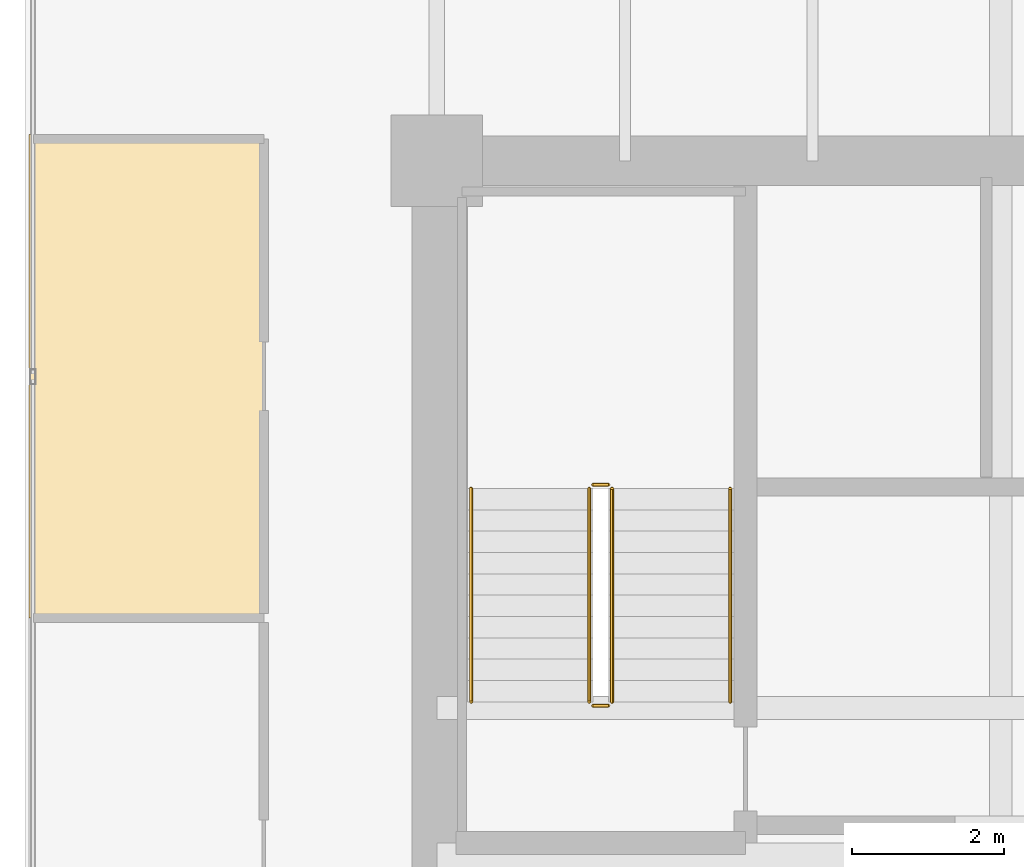
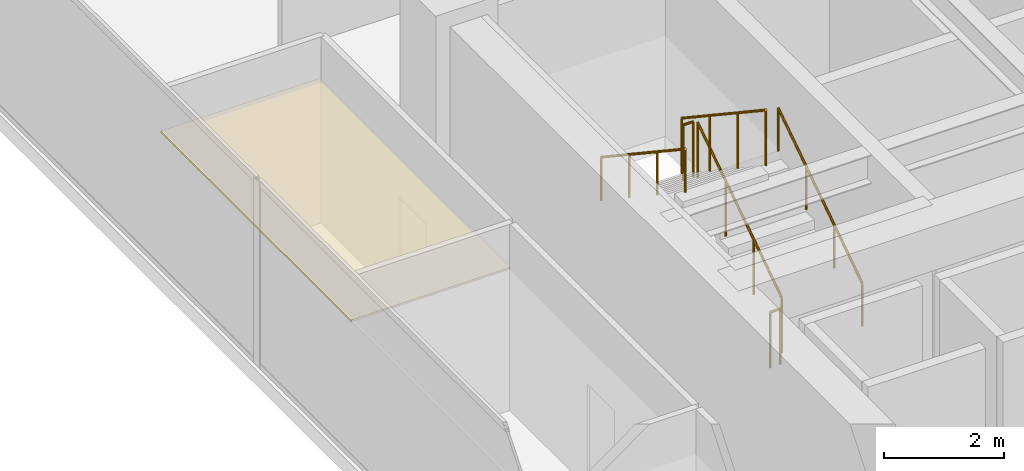
# One storey, part 31 of 34: 6 railings, 1 covering.
"""IFC4 building model written with IfcOpenShell, lengths in metres."""

from ifc_helpers import new_model, si_unit, direction, frame, origin, origin_2d, place, context, subcontext, project, spatial, polyline, circle, outline, extrude, source, transform, mapped, material, layer, layer_set, type_object, type_shapes, element, save


model = new_model("IFC4")

# Units and contexts
model_context = context("Model", 3, precision=1e-05, world=origin(), true_north=direction((0.0, 1.0)))
body_context = subcontext(model_context, "Body", "Model", "MODEL_VIEW")
ifc_project = project(units=[si_unit("LENGTHUNIT", "METRE"), si_unit("AREAUNIT", "SQUARE_METRE"), si_unit("VOLUMEUNIT", "CUBIC_METRE"), si_unit("PLANEANGLEUNIT", "RADIAN"), si_unit("MASSUNIT", "GRAM", prefix="KILO")], contexts=[model_context])

# Site, building, storey
site_placement = place(None, origin())
site = spatial("IfcSite", under=ifc_project, at=site_placement, CompositionType="ELEMENT")
building_placement = place(site_placement, origin())
building = spatial("IfcBuilding", under=site, at=building_placement, Name="Haelvirn Gate Laboratories", CompositionType="ELEMENT")
storey_placement = place(building_placement, frame((0.0, 0.0, 158.39990234375)))
storey = spatial("IfcBuildingStorey", under=building, at=storey_placement, Name="L38", CompositionType="ELEMENT", Elevation=158.39990234375)

# Covering
ifc_material_1 = material(Name="Micro-perforated acoustic mineral-fibre laboratory ceiling")
ifc_layer = layer(ifc_material_1, 0.0400390625, Name="COV-CEIL-ACT")
ifc_layer_set = layer_set([ifc_layer], Name="Micro-perforated acoustic mineral-fibre laboratory ceiling")
covering_type = type_object("IfcCoveringType", Name="COV-CEIL-ACT", PredefinedType="CEILING", material=ifc_layer_set)
covering_placement = place(storey_placement, frame((0.0, 0.0, 2.820068359375)))
element("IfcCovering", 1, at=covering_placement, inside=storey, type_object=covering_type, Name="L38 Laboratory Acoustic Ceiling CEIL-SP-L38-WCELL-03", PredefinedType="CEILING", context=body_context, shape_type="SweptSolid", body=[
    extrude(outline(polyline([(2.050048828125, 34.14501953125), (5.1201171875, 34.14501953125), (5.1201171875, 27.800048828125), (2.050048828125, 27.800048828125), (2.050048828125, 34.14501953125)])), origin(), (0.0, 0.0, 1.0), 0.0400390625),
])

# Railings
ifc_material_2 = material(Name="Galvanised steel SM355 & stainless top rail", Category="steel")
railing_type_1 = type_object("IfcRailingType", Name="RL-GUARD-1150", PredefinedType="GUARDRAIL", material=ifc_material_2)
shared_shape_1 = source(origin(), body_context, "Body", "SweptSolid", [
    extrude(circle(Radius=0.02392578125, at=origin_2d()), frame((0.0, 0.0, 1.1259765625), z_axis=(-1.0, 0.0, 0.0), x_axis=(0.0, -1.0, 0.0)), (0.0, 0.0, 1.0), 0.199951171875),
    extrude(circle(Radius=0.02099609375, at=origin_2d()), origin(), (0.0, 0.0, 1.0), 1.101806640625),
    extrude(circle(Radius=0.02099609375, at=origin_2d()), frame((-0.199951171875, 0.0, 0.0)), (0.0, 0.0, 1.0), 1.101806640625),
])
for number, where, name in (
    (2, (9.64990234375, 29.550048828125, 2.050048828125), "L38 ST1 stair guard 2"),
    (3, (9.64990234375, 26.64990234375, 0.0), "L38 ST1 stair guard 4"),
):
    element("IfcRailing", number, at=place(storey_placement, frame(where)), inside=storey, type_object=railing_type_1, Name=name, PredefinedType="GUARDRAIL", context=body_context, shape_type="MappedRepresentation", body=[
        mapped(shared_shape_1, transform((0.0, 0.0, 0.0), scale=1.0)),
    ])
shared_shape_2 = source(origin(), body_context, "Body", "SweptSolid", [
    extrude(circle(Radius=0.02392578125, at=origin_2d()), frame((0.0, 0.0, 1.1259765625), z_axis=(0.0, 0.832485552168, 0.554046753832), x_axis=(-1.0, 0.0, 0.0)), (0.0, 0.0, 1.0), 3.363525390625),
    extrude(circle(Radius=0.02099609375, at=origin_2d()), origin(), (0.0, 0.0, 1.0), 1.101806640625),
    extrude(circle(Radius=0.02099609375, at=origin_2d()), frame((0.0, 0.933349609375, 0.62109375)), (0.0, 0.0, 1.0), 1.101806640625),
    extrude(circle(Radius=0.02099609375, at=origin_2d()), frame((0.0, 1.86669921875, 1.242431640625)), (0.0, 0.0, 1.0), 1.101806640625),
    extrude(circle(Radius=0.02099609375, at=origin_2d()), frame((0.0, 2.800048828125, 1.863525390625)), (0.0, 0.0, 1.0), 1.101806640625),
])
railing_1_placement = place(storey_placement, frame((9.699951171875, 26.699951171875, 0.1865234375)))
element("IfcRailing", 4, at=railing_1_placement, inside=storey, type_object=railing_type_1, Name="L38 ST1 stair guard 1", PredefinedType="GUARDRAIL", context=body_context, shape_type="MappedRepresentation", body=[
    mapped(shared_shape_2, transform((0.0, 0.0, 0.0), scale=1.0)),
])
ifc_material_3 = material(Name="Brushed stainless steel 316L", Category="steel")
railing_type_2 = type_object("IfcRailingType", Name="RL-HAND-920", PredefinedType="HANDRAIL", material=ifc_material_3)
shared_shape_3 = source(origin(), body_context, "Body", "SweptSolid", [
    extrude(circle(Radius=0.02392578125, at=origin_2d()), frame((0.0, 0.0, 0.8759765625), z_axis=(0.0, 0.832485552168, 0.554046753832), x_axis=(-1.0, 0.0, 0.0)), (0.0, 0.0, 1.0), 3.363525390625),
    extrude(circle(Radius=0.02099609375, at=origin_2d()), origin(), (0.0, 0.0, 1.0), 0.851806640625),
    extrude(circle(Radius=0.02099609375, at=origin_2d()), frame((0.0, 0.933349609375, 0.62109375)), (0.0, 0.0, 1.0), 0.851806640625),
    extrude(circle(Radius=0.02099609375, at=origin_2d()), frame((0.0, 1.86669921875, 1.242431640625)), (0.0, 0.0, 1.0), 0.851806640625),
    extrude(circle(Radius=0.02099609375, at=origin_2d()), frame((0.0, 2.800048828125, 1.863525390625)), (0.0, 0.0, 1.0), 0.851806640625),
])
railing_2_placement = place(storey_placement, frame((11.25, 26.699951171875, 0.1865234375)))
element("IfcRailing", 5, at=railing_2_placement, inside=storey, type_object=railing_type_2, Name="L38 ST1 stair handrail 1", PredefinedType="HANDRAIL", context=body_context, shape_type="MappedRepresentation", body=[
    mapped(shared_shape_3, transform((0.0, 0.0, 0.0), scale=1.0)),
])
shared_shape_4 = source(origin(), body_context, "Body", "SweptSolid", [
    extrude(circle(Radius=0.02392578125, at=origin_2d()), frame((0.0, 0.0, 1.1259765625), z_axis=(0.0, -0.832485552168, 0.554046753832), x_axis=(1.0, 0.0, 0.0)), (0.0, 0.0, 1.0), 3.363525390625),
    extrude(circle(Radius=0.02099609375, at=origin_2d()), origin(), (0.0, 0.0, 1.0), 1.101806640625),
    extrude(circle(Radius=0.02099609375, at=origin_2d()), frame((0.0, -0.933349609375, 0.62109375)), (0.0, 0.0, 1.0), 1.101806640625),
    extrude(circle(Radius=0.02099609375, at=origin_2d()), frame((0.0, -1.86669921875, 1.242431640625)), (0.0, 0.0, 1.0), 1.101806640625),
    extrude(circle(Radius=0.02099609375, at=origin_2d()), frame((0.0, -2.800048828125, 1.863525390625)), (0.0, 0.0, 1.0), 1.101806640625),
])
type_shapes(railing_type_1, [shared_shape_1, shared_shape_2, shared_shape_4])
railing_3_placement = place(storey_placement, frame((9.39990234375, 29.5, 2.236572265625)))
element("IfcRailing", 6, at=railing_3_placement, inside=storey, type_object=railing_type_1, Name="L38 ST1 stair guard 3", PredefinedType="GUARDRAIL", context=body_context, shape_type="MappedRepresentation", body=[
    mapped(shared_shape_4, transform((0.0, 0.0, 0.0), scale=1.0)),
])
shared_shape_5 = source(origin(), body_context, "Body", "SweptSolid", [
    extrude(circle(Radius=0.02392578125, at=origin_2d()), frame((0.0, 0.0, 0.8759765625), z_axis=(0.0, -0.832485552168, 0.554046753832), x_axis=(1.0, 0.0, 0.0)), (0.0, 0.0, 1.0), 3.363525390625),
    extrude(circle(Radius=0.02099609375, at=origin_2d()), origin(), (0.0, 0.0, 1.0), 0.851806640625),
    extrude(circle(Radius=0.02099609375, at=origin_2d()), frame((0.0, -0.933349609375, 0.62109375)), (0.0, 0.0, 1.0), 0.851806640625),
    extrude(circle(Radius=0.02099609375, at=origin_2d()), frame((0.0, -1.86669921875, 1.242431640625)), (0.0, 0.0, 1.0), 0.851806640625),
    extrude(circle(Radius=0.02099609375, at=origin_2d()), frame((0.0, -2.800048828125, 1.863525390625)), (0.0, 0.0, 1.0), 0.851806640625),
])
type_shapes(railing_type_2, [shared_shape_3, shared_shape_5])
railing_4_placement = place(storey_placement, frame((7.85009765625, 29.5, 2.236572265625)))
element("IfcRailing", 7, at=railing_4_placement, inside=storey, type_object=railing_type_2, Name="L38 ST1 stair handrail 2", PredefinedType="HANDRAIL", context=body_context, shape_type="MappedRepresentation", body=[
    mapped(shared_shape_5, transform((0.0, 0.0, 0.0), scale=1.0)),
])

save(model, "model.ifc")
